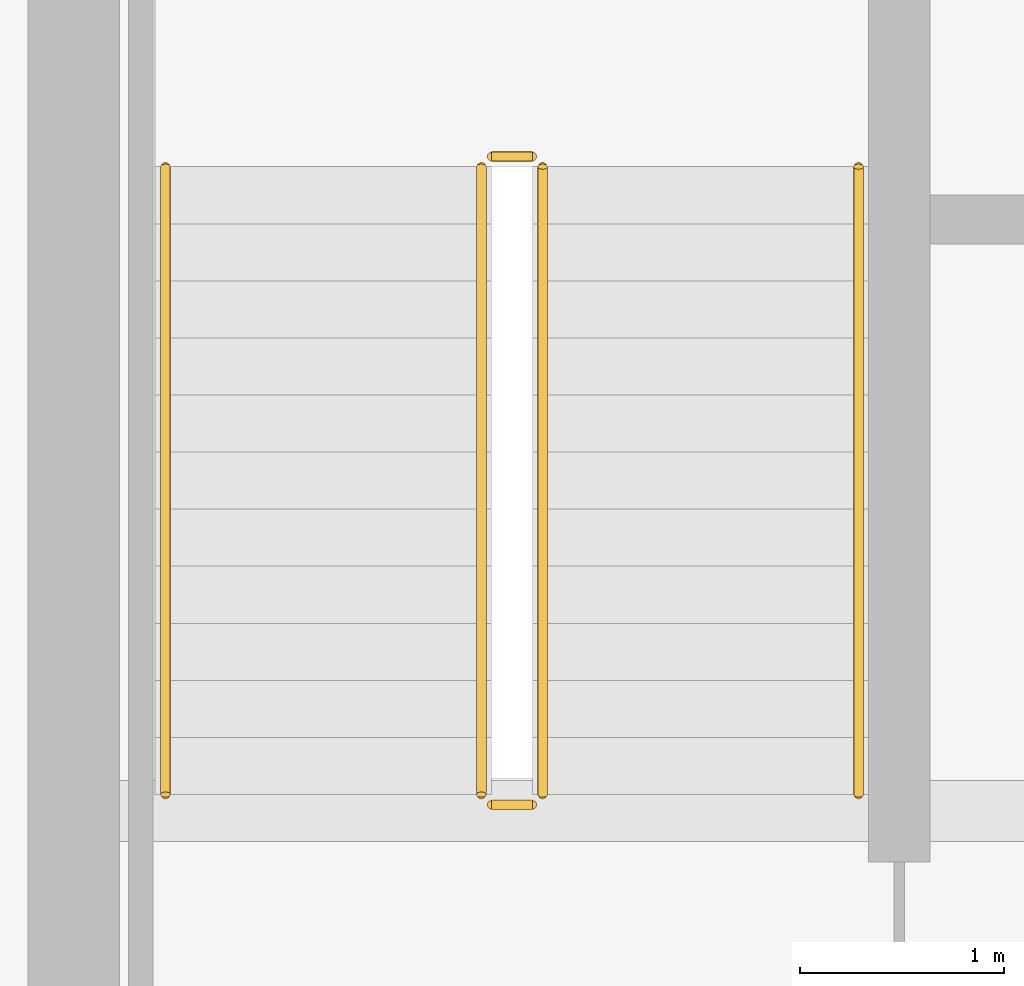
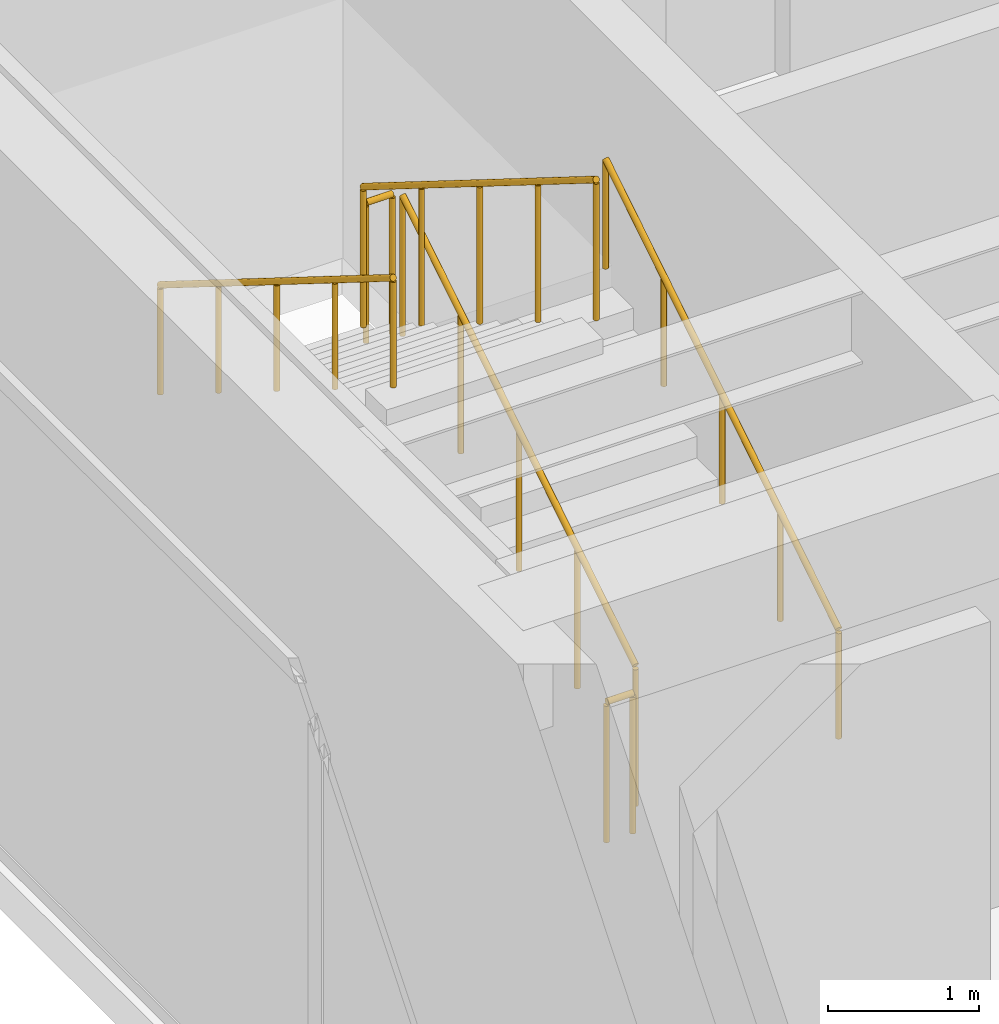
# One storey, part 30 of 32: 6 railings.
"""IFC4 building model written with IfcOpenShell, lengths in metres."""

from ifc_helpers import new_model, si_unit, direction, frame, origin, origin_2d, place, context, subcontext, project, spatial, circle, extrude, source, transform, mapped, material, type_object, type_shapes, element, save


model = new_model("IFC4")

# Units and contexts
model_context = context("Model", 3, precision=1e-05, world=origin(), true_north=direction((0.0, 1.0)))
body_context = subcontext(model_context, "Body", "Model", "MODEL_VIEW")
ifc_project = project(units=[si_unit("LENGTHUNIT", "METRE"), si_unit("AREAUNIT", "SQUARE_METRE"), si_unit("VOLUMEUNIT", "CUBIC_METRE"), si_unit("PLANEANGLEUNIT", "RADIAN"), si_unit("MASSUNIT", "GRAM", prefix="KILO")], contexts=[model_context])

# Site, building, storey
site_placement = place(None, origin())
site = spatial("IfcSite", under=ifc_project, at=site_placement, CompositionType="ELEMENT")
building_placement = place(site_placement, origin())
building = spatial("IfcBuilding", under=site, at=building_placement, Name="Haelvirn Gate Laboratories", CompositionType="ELEMENT")
storey_placement = place(building_placement, frame((0.0, 0.0, 306.0)))
storey = spatial("IfcBuildingStorey", under=building, at=storey_placement, Name="L73", CompositionType="ELEMENT", Elevation=306.0)

# Railings
ifc_material_1 = material(Name="Galvanised steel SM355 & stainless top rail", Category="steel")
railing_type_1 = type_object("IfcRailingType", Name="RL-GUARD-1150", PredefinedType="GUARDRAIL", material=ifc_material_1)
shared_shape_1 = source(origin(), body_context, "Body", "SweptSolid", [
    extrude(circle(Radius=0.02392578125, at=origin_2d()), frame((0.0, 0.0, 1.1259765625), z_axis=(-1.0, 0.0, 0.0), x_axis=(0.0, -1.0, 0.0)), (0.0, 0.0, 1.0), 0.199951171875),
    extrude(circle(Radius=0.02099609375, at=origin_2d()), origin(), (0.0, 0.0, 1.0), 1.101806640625),
    extrude(circle(Radius=0.02099609375, at=origin_2d()), frame((-0.199951171875, 0.0, 0.0)), (0.0, 0.0, 1.0), 1.101806640625),
])
for number, where, name in (
    (1, (9.64990234375, 29.830078125, 2.10009765625), "L73 ST1 stair guard 2"),
    (2, (9.64990234375, 26.64990234375, 0.0), "L73 ST1 stair guard 4"),
):
    element("IfcRailing", number, at=place(storey_placement, frame(where)), inside=storey, type_object=railing_type_1, Name=name, PredefinedType="GUARDRAIL", context=body_context, shape_type="MappedRepresentation", body=[
        mapped(shared_shape_1, transform((0.0, 0.0, 0.0), scale=1.0)),
    ])
shared_shape_2 = source(origin(), body_context, "Body", "SweptSolid", [
    extrude(circle(Radius=0.02392578125, at=origin_2d()), frame((0.0, 0.0, 1.1259765625), z_axis=(0.0, 0.847998304005, 0.529998940003), x_axis=(-1.0, 0.0, 0.0)), (0.0, 0.0, 1.0), 3.632080078125),
    extrude(circle(Radius=0.02099609375, at=origin_2d()), origin(), (0.0, 0.0, 1.0), 1.101806640625),
    extrude(circle(Radius=0.02099609375, at=origin_2d()), frame((0.0, 0.77001953125, 0.481201171875)), (0.0, 0.0, 1.0), 1.101806640625),
    extrude(circle(Radius=0.02099609375, at=origin_2d()), frame((0.0, 1.5400390625, 0.96240234375)), (0.0, 0.0, 1.0), 1.101806640625),
    extrude(circle(Radius=0.02099609375, at=origin_2d()), frame((0.0, 2.31005859375, 1.44384765625)), (0.0, 0.0, 1.0), 1.101806640625),
    extrude(circle(Radius=0.02099609375, at=origin_2d()), frame((0.0, 3.080078125, 1.925048828125)), (0.0, 0.0, 1.0), 1.101806640625),
])
railing_1_placement = place(storey_placement, frame((9.699951171875, 26.699951171875, 0.175048828125)))
element("IfcRailing", 3, at=railing_1_placement, inside=storey, type_object=railing_type_1, Name="L73 ST1 stair guard 1", PredefinedType="GUARDRAIL", context=body_context, shape_type="MappedRepresentation", body=[
    mapped(shared_shape_2, transform((0.0, 0.0, 0.0), scale=1.0)),
])
shared_shape_3 = source(origin(), body_context, "Body", "SweptSolid", [
    extrude(circle(Radius=0.02392578125, at=origin_2d()), frame((0.0, 0.0, 1.1259765625), z_axis=(0.0, -0.847998304005, 0.529998940003), x_axis=(1.0, 0.0, 0.0)), (0.0, 0.0, 1.0), 3.632080078125),
    extrude(circle(Radius=0.02099609375, at=origin_2d()), origin(), (0.0, 0.0, 1.0), 1.101806640625),
    extrude(circle(Radius=0.02099609375, at=origin_2d()), frame((0.0, -0.77001953125, 0.481201171875)), (0.0, 0.0, 1.0), 1.101806640625),
    extrude(circle(Radius=0.02099609375, at=origin_2d()), frame((0.0, -1.5400390625, 0.96240234375)), (0.0, 0.0, 1.0), 1.101806640625),
    extrude(circle(Radius=0.02099609375, at=origin_2d()), frame((0.0, -2.31005859375, 1.44384765625)), (0.0, 0.0, 1.0), 1.101806640625),
    extrude(circle(Radius=0.02099609375, at=origin_2d()), frame((0.0, -3.080078125, 1.925048828125)), (0.0, 0.0, 1.0), 1.101806640625),
])
type_shapes(railing_type_1, [shared_shape_1, shared_shape_2, shared_shape_3])
railing_2_placement = place(storey_placement, frame((9.39990234375, 29.780029296875, 2.27490234375)))
element("IfcRailing", 4, at=railing_2_placement, inside=storey, type_object=railing_type_1, Name="L73 ST1 stair guard 3", PredefinedType="GUARDRAIL", context=body_context, shape_type="MappedRepresentation", body=[
    mapped(shared_shape_3, transform((0.0, 0.0, 0.0), scale=1.0)),
])
ifc_material_2 = material(Name="Brushed stainless steel 316L", Category="steel")
railing_type_2 = type_object("IfcRailingType", Name="RL-HAND-920", PredefinedType="HANDRAIL", material=ifc_material_2)
shared_shape_4 = source(origin(), body_context, "Body", "SweptSolid", [
    extrude(circle(Radius=0.02392578125, at=origin_2d()), frame((0.0, 0.0, 0.8759765625), z_axis=(0.0, 0.847998304005, 0.529998940003), x_axis=(-1.0, 0.0, 0.0)), (0.0, 0.0, 1.0), 3.632080078125),
    extrude(circle(Radius=0.02099609375, at=origin_2d()), origin(), (0.0, 0.0, 1.0), 0.851806640625),
    extrude(circle(Radius=0.02099609375, at=origin_2d()), frame((0.0, 0.77001953125, 0.481201171875)), (0.0, 0.0, 1.0), 0.851806640625),
    extrude(circle(Radius=0.02099609375, at=origin_2d()), frame((0.0, 1.5400390625, 0.96240234375)), (0.0, 0.0, 1.0), 0.851806640625),
    extrude(circle(Radius=0.02099609375, at=origin_2d()), frame((0.0, 2.31005859375, 1.44384765625)), (0.0, 0.0, 1.0), 0.851806640625),
    extrude(circle(Radius=0.02099609375, at=origin_2d()), frame((0.0, 3.080078125, 1.925048828125)), (0.0, 0.0, 1.0), 0.851806640625),
])
railing_3_placement = place(storey_placement, frame((11.25, 26.699951171875, 0.175048828125)))
element("IfcRailing", 5, at=railing_3_placement, inside=storey, type_object=railing_type_2, Name="L73 ST1 stair handrail 1", PredefinedType="HANDRAIL", context=body_context, shape_type="MappedRepresentation", body=[
    mapped(shared_shape_4, transform((0.0, 0.0, 0.0), scale=1.0)),
])
shared_shape_5 = source(origin(), body_context, "Body", "SweptSolid", [
    extrude(circle(Radius=0.02392578125, at=origin_2d()), frame((0.0, 0.0, 0.8759765625), z_axis=(0.0, -0.847998304005, 0.529998940003), x_axis=(1.0, 0.0, 0.0)), (0.0, 0.0, 1.0), 3.632080078125),
    extrude(circle(Radius=0.02099609375, at=origin_2d()), origin(), (0.0, 0.0, 1.0), 0.851806640625),
    extrude(circle(Radius=0.02099609375, at=origin_2d()), frame((0.0, -0.77001953125, 0.481201171875)), (0.0, 0.0, 1.0), 0.851806640625),
    extrude(circle(Radius=0.02099609375, at=origin_2d()), frame((0.0, -1.5400390625, 0.96240234375)), (0.0, 0.0, 1.0), 0.851806640625),
    extrude(circle(Radius=0.02099609375, at=origin_2d()), frame((0.0, -2.31005859375, 1.44384765625)), (0.0, 0.0, 1.0), 0.851806640625),
    extrude(circle(Radius=0.02099609375, at=origin_2d()), frame((0.0, -3.080078125, 1.925048828125)), (0.0, 0.0, 1.0), 0.851806640625),
])
type_shapes(railing_type_2, [shared_shape_4, shared_shape_5])
railing_4_placement = place(storey_placement, frame((7.85009765625, 29.780029296875, 2.27490234375)))
element("IfcRailing", 6, at=railing_4_placement, inside=storey, type_object=railing_type_2, Name="L73 ST1 stair handrail 2", PredefinedType="HANDRAIL", context=body_context, shape_type="MappedRepresentation", body=[
    mapped(shared_shape_5, transform((0.0, 0.0, 0.0), scale=1.0)),
])

save(model, "model.ifc")
